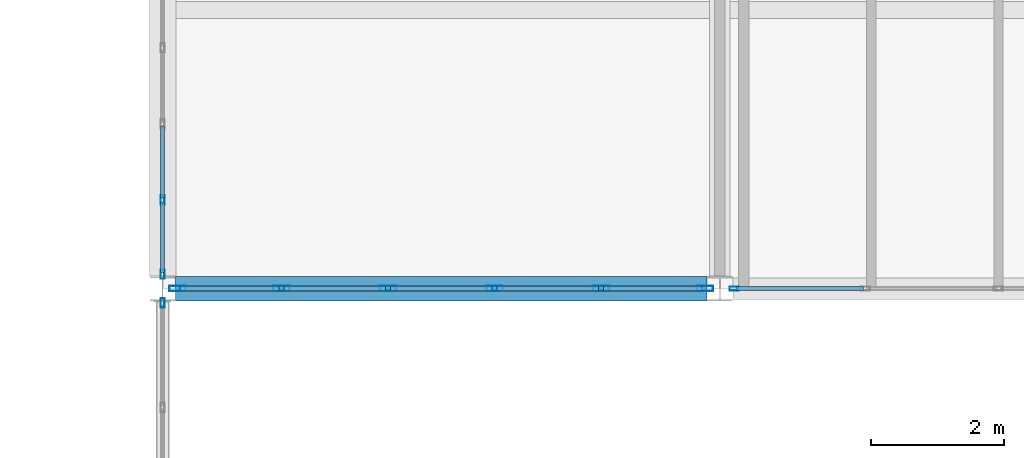
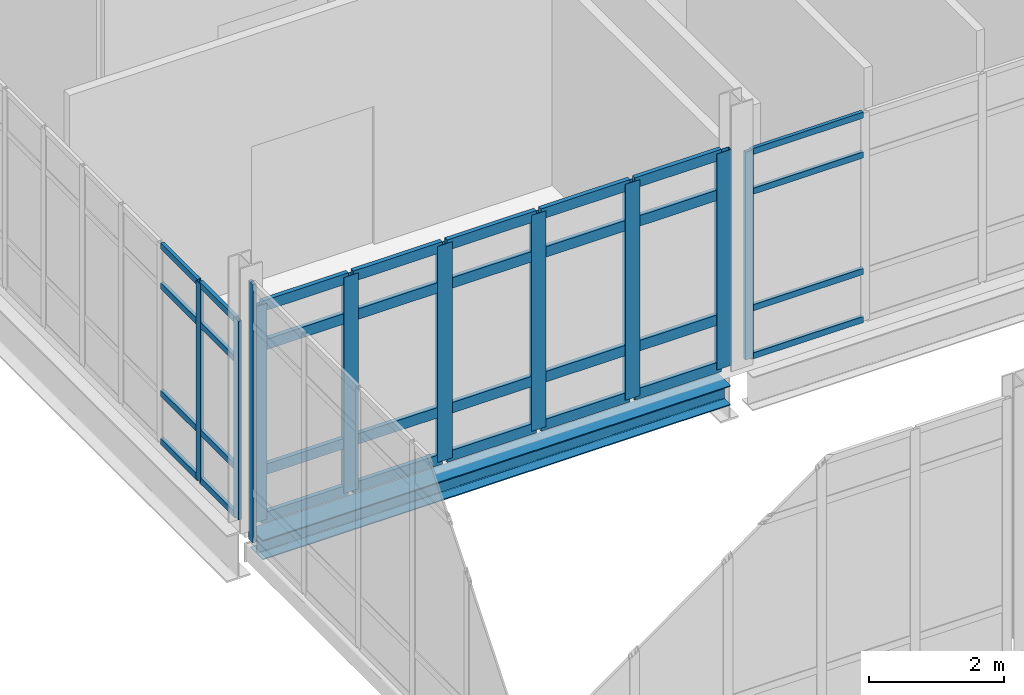
# One storey, part 19 of 186: 42 members, 1 beam, 4 elements without a shape of their own.
"""IFC4 building model written with IfcOpenShell, lengths in metres."""

from ifc_helpers import new_model, si_unit, direction, frame, origin, origin_2d, place, context, subcontext, project, spatial, hollow_rectangle, i_section, extrude, material, layer, layer_set, material_profile, profile_set, type_object, element, aggregate, save


model = new_model("IFC4")

# Units and contexts
model_context = context("Model", 3, precision=1e-05, world=origin(), true_north=direction((0.0, 1.0)))
body_context = subcontext(model_context, "Body", "Model", "MODEL_VIEW")
ifc_project = project(units=[si_unit("LENGTHUNIT", "METRE"), si_unit("AREAUNIT", "SQUARE_METRE"), si_unit("VOLUMEUNIT", "CUBIC_METRE"), si_unit("PLANEANGLEUNIT", "RADIAN"), si_unit("MASSUNIT", "GRAM", prefix="KILO")], contexts=[model_context])

# Site, building, storey
site_placement = place(None, origin())
site = spatial("IfcSite", under=ifc_project, at=site_placement, CompositionType="ELEMENT")
building_placement = place(site_placement, origin())
building = spatial("IfcBuilding", under=site, at=building_placement, Name="Calvrana Isthmian Art Gallery", CompositionType="ELEMENT")
storey_placement = place(building_placement, frame((0.0, 0.0, 5.39990234375)))
storey = spatial("IfcBuildingStorey", under=building, at=storey_placement, Name="L01", CompositionType="ELEMENT", Elevation=5.39990234375)

# Beam
ifc_material_1 = material(Name="Steel ASTM A992 Gr 50", Category="steel")
ifc_material_profile_1 = material_profile(ifc_material_1, i_section(OverallWidth=0.367919921875, OverallDepth=0.35595703125, WebThickness=0.01123046875, FlangeThickness=0.01806640625, FilletRadius=0.02490234375, at=origin_2d()), Name="W14X90")
ifc_profile_set_1 = profile_set([ifc_material_profile_1], Name="Steel ASTM A992 Gr 50")
beam_type = type_object("IfcBeamType", Name="BM-SP-W14X90", PredefinedType="SPANDREL", material=ifc_profile_set_1)
beam_placement = place(storey_placement, frame((21.798095703125, 30.0, -0.4228515625), z_axis=(1.0, 0.0, 0.0), x_axis=(0.0, 1.0, 0.0)))
element("IfcBeam", 1, at=beam_placement, inside=storey, type_object=beam_type, Name="Girder X L01 04-05/E", PredefinedType="SPANDREL", context=body_context, shape_type="SweptSolid", body=[
    extrude(i_section(OverallWidth=0.367919921875, OverallDepth=0.35595703125, WebThickness=0.01123046875, FlangeThickness=0.01806640625, FilletRadius=0.02490234375, at=origin_2d()), origin(), (0.0, 0.0, 1.0), 8.0048828125),
])

# Curtain wall, member
ifc_material_2 = material(Name="Anodized bronze aluminium 6063-T6", Category="aluminium")
ifc_layer_1 = layer(ifc_material_2, 0.179931640625, Name="Anodized bronze aluminium 6063-T6")
ifc_layer_set_1 = layer_set([ifc_layer_1], Name="Anodized bronze aluminium 6063-T6")
curtain_wall_type_1 = type_object("IfcCurtainWallType", Name="CW-STICK-080X47", PredefinedType="NOTDEFINED", material=ifc_layer_set_1)
curtain_wall_1_placement = place(storey_placement, origin())
curtain_wall_1 = element("IfcCurtainWall", 2, at=curtain_wall_1_placement, inside=storey, type_object=curtain_wall_type_1, Name="Curtain wall CW-006", PredefinedType="NOTDEFINED")
ifc_material_profile_2 = material_profile(ifc_material_2, hollow_rectangle(XDim=0.06005859375, YDim=0.139892578125, WallThickness=0.00390625, at=origin_2d()), Name="CWM60X140")
ifc_profile_set_2 = profile_set([ifc_material_profile_2], Name="Anodized bronze aluminium 6063-T6")
member_type_1 = type_object("IfcMemberType", Name="CWM-CWM60X140", PredefinedType="MULLION", material=ifc_profile_set_2)
member_1_placement = place(storey_placement, frame((21.60009765625, 29.783447265625, -0.14990234375), z_axis=(0.0, 0.0, 1.0), x_axis=(-1.0, 0.0, 0.0)))
member_1 = element("IfcMember", 3, at=member_1_placement, type_object=member_type_1, Name="CW-006 mullion 6", PredefinedType="MULLION", context=body_context, shape_type="SweptSolid", body=[
    extrude(hollow_rectangle(XDim=0.06005859375, YDim=0.139892578125, WallThickness=0.00390625, at=origin_2d()), origin(), (0.0, 0.0, 1.0), 4.669921875),
])
aggregate(curtain_wall_1, [member_1])

ifc_layer_2 = layer(ifc_material_2, 0.179931640625, Name="Anodized bronze aluminium 6063-T6")
ifc_layer_set_2 = layer_set([ifc_layer_2], Name="Anodized bronze aluminium 6063-T6")
curtain_wall_type_2 = type_object("IfcCurtainWallType", Name="CW-UNIT-080X38", PredefinedType="USERDEFINED", material=ifc_layer_set_2)
curtain_wall_2_placement = place(storey_placement, origin())
curtain_wall_2 = element("IfcCurtainWall", 4, at=curtain_wall_2_placement, inside=storey, type_object=curtain_wall_type_2, Name="Curtain wall CW-090", ObjectType="UNITISED CURTAIN WALL", PredefinedType="USERDEFINED")
member_2_placement = place(storey_placement, frame((30.216552734375, 30.0, 0.0), z_axis=(0.0, 0.0, 1.0), x_axis=(0.0, -1.0, 0.0)))
member_2 = element("IfcMember", 5, at=member_2_placement, type_object=member_type_1, Name="CW-090 mullion 5", PredefinedType="MULLION", context=body_context, shape_type="SweptSolid", body=[
    extrude(hollow_rectangle(XDim=0.06005859375, YDim=0.139892578125, WallThickness=0.00390625, at=origin_2d()), origin(), (0.0, 0.0, 1.0), 3.758056640625),
])

# Curtain wall, members
ifc_layer_3 = layer(ifc_material_2, 0.179931640625, Name="Anodized bronze aluminium 6063-T6")
ifc_layer_set_3 = layer_set([ifc_layer_3], Name="Anodized bronze aluminium 6063-T6")
curtain_wall_type_3 = type_object("IfcCurtainWallType", Name="CW-UNIT-080X36", PredefinedType="USERDEFINED", material=ifc_layer_set_3)
curtain_wall_3_placement = place(storey_placement, origin())
curtain_wall_3 = element("IfcCurtainWall", 6, at=curtain_wall_3_placement, inside=storey, type_object=curtain_wall_type_3, Name="Curtain wall CW-120", ObjectType="UNITISED CURTAIN WALL", PredefinedType="USERDEFINED")
member_3_placement = place(storey_placement, frame((21.60009765625, 30.216552734375, 0.0), z_axis=(0.0, 0.0, 1.0), x_axis=(-1.0, 0.0, 0.0)))
member_3 = element("IfcMember", 7, at=member_3_placement, type_object=member_type_1, Name="CW-120 mullion 1", PredefinedType="MULLION", context=body_context, shape_type="SweptSolid", body=[
    extrude(hollow_rectangle(XDim=0.06005859375, YDim=0.139892578125, WallThickness=0.00390625, at=origin_2d()), origin(), (0.0, 0.0, 1.0), 3.593017578125),
])
member_4_placement = place(storey_placement, frame((21.60009765625, 31.33447265625, 0.0), z_axis=(0.0, 0.0, 1.0), x_axis=(-1.0, 0.0, 0.0)))
member_4 = element("IfcMember", 8, at=member_4_placement, type_object=member_type_1, Name="CW-120 mullion 2", PredefinedType="MULLION", context=body_context, shape_type="SweptSolid", body=[
    extrude(hollow_rectangle(XDim=0.06005859375, YDim=0.139892578125, WallThickness=0.00390625, at=origin_2d()), origin(), (0.0, 0.0, 1.0), 3.593017578125),
])

ifc_layer_4 = layer(ifc_material_2, 0.179931640625, Name="Anodized bronze aluminium 6063-T6")
ifc_layer_set_4 = layer_set([ifc_layer_4], Name="Anodized bronze aluminium 6063-T6")
curtain_wall_type_4 = type_object("IfcCurtainWallType", Name="CW-STICK-080X39", PredefinedType="NOTDEFINED", material=ifc_layer_set_4)
curtain_wall_4_placement = place(storey_placement, origin())
curtain_wall_4 = element("IfcCurtainWall", 9, at=curtain_wall_4_placement, inside=storey, type_object=curtain_wall_type_4, Name="Curtain wall CW-089", PredefinedType="NOTDEFINED")
ifc_material_profile_3 = material_profile(ifc_material_2, hollow_rectangle(XDim=0.080078125, YDim=0.25, WallThickness=0.005615234375, at=origin_2d()), Name="CWM80X250")
ifc_profile_set_3 = profile_set([ifc_material_profile_3], Name="Anodized bronze aluminium 6063-T6")
member_type_2 = type_object("IfcMemberType", Name="CWM-CWM80X250", PredefinedType="MULLION", material=ifc_profile_set_3)
member_5_placement = place(storey_placement, frame((29.7734375, 30.0, 0.0), z_axis=(0.0, 0.0, 1.0), x_axis=(0.0, -1.0, 0.0)))
member_5 = element("IfcMember", 10, at=member_5_placement, type_object=member_type_2, Name="CW-089 mullion 1", PredefinedType="MULLION", context=body_context, shape_type="SweptSolid", body=[
    extrude(hollow_rectangle(XDim=0.080078125, YDim=0.25, WallThickness=0.005615234375, at=origin_2d()), origin(), (0.0, 0.0, 1.0), 3.908203125),
])
member_6_placement = place(storey_placement, frame((28.2080078125, 30.0, 0.0), z_axis=(0.0, 0.0, 1.0), x_axis=(0.0, -1.0, 0.0)))
member_6 = element("IfcMember", 11, at=member_6_placement, type_object=member_type_2, Name="CW-089 mullion 2", PredefinedType="MULLION", context=body_context, shape_type="SweptSolid", body=[
    extrude(hollow_rectangle(XDim=0.080078125, YDim=0.25, WallThickness=0.005615234375, at=origin_2d()), origin(), (0.0, 0.0, 1.0), 3.908203125),
])
member_7_placement = place(storey_placement, frame((26.602783203125, 30.0, 0.0), z_axis=(0.0, 0.0, 1.0), x_axis=(0.0, -1.0, 0.0)))
member_7 = element("IfcMember", 12, at=member_7_placement, type_object=member_type_2, Name="CW-089 mullion 3", PredefinedType="MULLION", context=body_context, shape_type="SweptSolid", body=[
    extrude(hollow_rectangle(XDim=0.080078125, YDim=0.25, WallThickness=0.005615234375, at=origin_2d()), origin(), (0.0, 0.0, 1.0), 3.908203125),
])
member_8_placement = place(storey_placement, frame((24.997314453125, 30.0, 0.0), z_axis=(0.0, 0.0, 1.0), x_axis=(0.0, -1.0, 0.0)))
member_8 = element("IfcMember", 13, at=member_8_placement, type_object=member_type_2, Name="CW-089 mullion 4", PredefinedType="MULLION", context=body_context, shape_type="SweptSolid", body=[
    extrude(hollow_rectangle(XDim=0.080078125, YDim=0.25, WallThickness=0.005615234375, at=origin_2d()), origin(), (0.0, 0.0, 1.0), 3.908203125),
])
member_9_placement = place(storey_placement, frame((23.391845703125, 30.0, 0.0), z_axis=(0.0, 0.0, 1.0), x_axis=(0.0, -1.0, 0.0)))
member_9 = element("IfcMember", 14, at=member_9_placement, type_object=member_type_2, Name="CW-089 mullion 5", PredefinedType="MULLION", context=body_context, shape_type="SweptSolid", body=[
    extrude(hollow_rectangle(XDim=0.080078125, YDim=0.25, WallThickness=0.005615234375, at=origin_2d()), origin(), (0.0, 0.0, 1.0), 3.908203125),
])
member_10_placement = place(storey_placement, frame((21.826416015625, 30.0, 0.0), z_axis=(0.0, 0.0, 1.0), x_axis=(0.0, -1.0, 0.0)))
member_10 = element("IfcMember", 15, at=member_10_placement, type_object=member_type_2, Name="CW-089 mullion 6", PredefinedType="MULLION", context=body_context, shape_type="SweptSolid", body=[
    extrude(hollow_rectangle(XDim=0.080078125, YDim=0.25, WallThickness=0.005615234375, at=origin_2d()), origin(), (0.0, 0.0, 1.0), 3.908203125),
])

# Member
ifc_material_profile_4 = material_profile(ifc_material_2, hollow_rectangle(XDim=0.06005859375, YDim=0.110107421875, WallThickness=0.00341796875, at=origin_2d()), Name="CWT60X110")
ifc_profile_set_4 = profile_set([ifc_material_profile_4], Name="Anodized bronze aluminium 6063-T6")
member_type_3 = type_object("IfcMemberType", Name="CWT-CWT60X110", PredefinedType="USERDEFINED", material=ifc_profile_set_4)
member_11_placement = place(storey_placement, frame((32.16357421875, 30.0, 0.030029296875), z_axis=(-1.0, 0.0, 0.0), x_axis=(0.0, -1.0, 0.0)))
member_11 = element("IfcMember", 16, at=member_11_placement, type_object=member_type_3, Name="CW-090 transom 4.1", ObjectType="TRANSOM", PredefinedType="USERDEFINED", context=body_context, shape_type="SweptSolid", body=[
    extrude(hollow_rectangle(XDim=0.06005859375, YDim=0.110107421875, WallThickness=0.00341796875, at=origin_2d()), origin(), (0.0, 0.0, 1.0), 1.9169921875),
])

member_12_placement = place(storey_placement, frame((32.16357421875, 30.0, 0.900146484375), z_axis=(-1.0, 0.0, 0.0), x_axis=(0.0, -1.0, 0.0)))
member_12 = element("IfcMember", 17, at=member_12_placement, type_object=member_type_3, Name="CW-090 transom 4.2", ObjectType="TRANSOM", PredefinedType="USERDEFINED", context=body_context, shape_type="SweptSolid", body=[
    extrude(hollow_rectangle(XDim=0.06005859375, YDim=0.110107421875, WallThickness=0.00341796875, at=origin_2d()), origin(), (0.0, 0.0, 1.0), 1.9169921875),
])

member_13_placement = place(storey_placement, frame((32.16357421875, 30.0, 3.008056640625), z_axis=(-1.0, 0.0, 0.0), x_axis=(0.0, -1.0, 0.0)))
member_13 = element("IfcMember", 18, at=member_13_placement, type_object=member_type_3, Name="CW-090 transom 4.3", ObjectType="TRANSOM", PredefinedType="USERDEFINED", context=body_context, shape_type="SweptSolid", body=[
    extrude(hollow_rectangle(XDim=0.06005859375, YDim=0.110107421875, WallThickness=0.00341796875, at=origin_2d()), origin(), (0.0, 0.0, 1.0), 1.9169921875),
])

member_14_placement = place(storey_placement, frame((32.16357421875, 30.0, 3.72802734375), z_axis=(-1.0, 0.0, 0.0), x_axis=(0.0, -1.0, 0.0)))
member_14 = element("IfcMember", 19, at=member_14_placement, type_object=member_type_3, Name="CW-090 transom 4.4", ObjectType="TRANSOM", PredefinedType="USERDEFINED", context=body_context, shape_type="SweptSolid", body=[
    extrude(hollow_rectangle(XDim=0.06005859375, YDim=0.110107421875, WallThickness=0.00341796875, at=origin_2d()), origin(), (0.0, 0.0, 1.0), 1.9169921875),
])

aggregate(curtain_wall_2, [member_2, member_11, member_12, member_13, member_14])

member_15_placement = place(storey_placement, frame((21.60009765625, 30.24658203125, 0.030029296875), z_axis=(0.0, 1.0, 0.0), x_axis=(-1.0, 0.0, 0.0)))
member_15 = element("IfcMember", 20, at=member_15_placement, type_object=member_type_3, Name="CW-120 transom 1.1", ObjectType="TRANSOM", PredefinedType="USERDEFINED", context=body_context, shape_type="SweptSolid", body=[
    extrude(hollow_rectangle(XDim=0.06005859375, YDim=0.110107421875, WallThickness=0.00341796875, at=origin_2d()), origin(), (0.0, 0.0, 1.0), 1.057861328125),
])

member_16_placement = place(storey_placement, frame((21.60009765625, 30.24658203125, 0.900146484375), z_axis=(0.0, 1.0, 0.0), x_axis=(-1.0, 0.0, 0.0)))
member_16 = element("IfcMember", 21, at=member_16_placement, type_object=member_type_3, Name="CW-120 transom 1.2", ObjectType="TRANSOM", PredefinedType="USERDEFINED", context=body_context, shape_type="SweptSolid", body=[
    extrude(hollow_rectangle(XDim=0.06005859375, YDim=0.110107421875, WallThickness=0.00341796875, at=origin_2d()), origin(), (0.0, 0.0, 1.0), 1.057861328125),
])

member_17_placement = place(storey_placement, frame((21.60009765625, 30.24658203125, 2.843017578125), z_axis=(0.0, 1.0, 0.0), x_axis=(-1.0, 0.0, 0.0)))
member_17 = element("IfcMember", 22, at=member_17_placement, type_object=member_type_3, Name="CW-120 transom 1.3", ObjectType="TRANSOM", PredefinedType="USERDEFINED", context=body_context, shape_type="SweptSolid", body=[
    extrude(hollow_rectangle(XDim=0.06005859375, YDim=0.110107421875, WallThickness=0.00341796875, at=origin_2d()), origin(), (0.0, 0.0, 1.0), 1.057861328125),
])

member_18_placement = place(storey_placement, frame((21.60009765625, 30.24658203125, 3.56298828125), z_axis=(0.0, 1.0, 0.0), x_axis=(-1.0, 0.0, 0.0)))
member_18 = element("IfcMember", 23, at=member_18_placement, type_object=member_type_3, Name="CW-120 transom 1.4", ObjectType="TRANSOM", PredefinedType="USERDEFINED", context=body_context, shape_type="SweptSolid", body=[
    extrude(hollow_rectangle(XDim=0.06005859375, YDim=0.110107421875, WallThickness=0.00341796875, at=origin_2d()), origin(), (0.0, 0.0, 1.0), 1.057861328125),
])

member_19_placement = place(storey_placement, frame((21.60009765625, 31.364501953125, 0.030029296875), z_axis=(0.0, 1.0, 0.0), x_axis=(-1.0, 0.0, 0.0)))
member_19 = element("IfcMember", 24, at=member_19_placement, type_object=member_type_3, Name="CW-120 transom 2.1", ObjectType="TRANSOM", PredefinedType="USERDEFINED", context=body_context, shape_type="SweptSolid", body=[
    extrude(hollow_rectangle(XDim=0.06005859375, YDim=0.110107421875, WallThickness=0.00341796875, at=origin_2d()), origin(), (0.0, 0.0, 1.0), 1.087890625),
])

member_20_placement = place(storey_placement, frame((21.60009765625, 31.364501953125, 0.900146484375), z_axis=(0.0, 1.0, 0.0), x_axis=(-1.0, 0.0, 0.0)))
member_20 = element("IfcMember", 25, at=member_20_placement, type_object=member_type_3, Name="CW-120 transom 2.2", ObjectType="TRANSOM", PredefinedType="USERDEFINED", context=body_context, shape_type="SweptSolid", body=[
    extrude(hollow_rectangle(XDim=0.06005859375, YDim=0.110107421875, WallThickness=0.00341796875, at=origin_2d()), origin(), (0.0, 0.0, 1.0), 1.087890625),
])

member_21_placement = place(storey_placement, frame((21.60009765625, 31.364501953125, 2.843017578125), z_axis=(0.0, 1.0, 0.0), x_axis=(-1.0, 0.0, 0.0)))
member_21 = element("IfcMember", 26, at=member_21_placement, type_object=member_type_3, Name="CW-120 transom 2.3", ObjectType="TRANSOM", PredefinedType="USERDEFINED", context=body_context, shape_type="SweptSolid", body=[
    extrude(hollow_rectangle(XDim=0.06005859375, YDim=0.110107421875, WallThickness=0.00341796875, at=origin_2d()), origin(), (0.0, 0.0, 1.0), 1.087890625),
])

member_22_placement = place(storey_placement, frame((21.60009765625, 31.364501953125, 3.56298828125), z_axis=(0.0, 1.0, 0.0), x_axis=(-1.0, 0.0, 0.0)))
member_22 = element("IfcMember", 27, at=member_22_placement, type_object=member_type_3, Name="CW-120 transom 2.4", ObjectType="TRANSOM", PredefinedType="USERDEFINED", context=body_context, shape_type="SweptSolid", body=[
    extrude(hollow_rectangle(XDim=0.06005859375, YDim=0.110107421875, WallThickness=0.00341796875, at=origin_2d()), origin(), (0.0, 0.0, 1.0), 1.087890625),
])

aggregate(curtain_wall_3, [member_3, member_4, member_15, member_16, member_17, member_18, member_19, member_20, member_21, member_22])

ifc_material_profile_5 = material_profile(ifc_material_2, hollow_rectangle(XDim=0.074951171875, YDim=0.18994140625, WallThickness=0.00439453125, at=origin_2d()), Name="CWT75X190")
ifc_profile_set_5 = profile_set([ifc_material_profile_5], Name="Anodized bronze aluminium 6063-T6")
member_type_4 = type_object("IfcMemberType", Name="CWT-CWT75X190", PredefinedType="USERDEFINED", material=ifc_profile_set_5)
member_23_placement = place(storey_placement, frame((29.7333984375, 30.0, 0.03759765625), z_axis=(-1.0, 0.0, 0.0), x_axis=(0.0, -1.0, 0.0)))
member_23 = element("IfcMember", 28, at=member_23_placement, type_object=member_type_4, Name="CW-089 transom 1.1", ObjectType="TRANSOM", PredefinedType="USERDEFINED", context=body_context, shape_type="SweptSolid", body=[
    extrude(hollow_rectangle(XDim=0.074951171875, YDim=0.18994140625, WallThickness=0.00439453125, at=origin_2d()), origin(), (0.0, 0.0, 1.0), 1.4853515625),
])

member_24_placement = place(storey_placement, frame((29.7333984375, 30.0, 0.900146484375), z_axis=(-1.0, 0.0, 0.0), x_axis=(0.0, -1.0, 0.0)))
member_24 = element("IfcMember", 29, at=member_24_placement, type_object=member_type_4, Name="CW-089 transom 1.2", ObjectType="TRANSOM", PredefinedType="USERDEFINED", context=body_context, shape_type="SweptSolid", body=[
    extrude(hollow_rectangle(XDim=0.074951171875, YDim=0.18994140625, WallThickness=0.00439453125, at=origin_2d()), origin(), (0.0, 0.0, 1.0), 1.4853515625),
])

member_25_placement = place(storey_placement, frame((29.7333984375, 30.0, 3.158203125), z_axis=(-1.0, 0.0, 0.0), x_axis=(0.0, -1.0, 0.0)))
member_25 = element("IfcMember", 30, at=member_25_placement, type_object=member_type_4, Name="CW-089 transom 1.3", ObjectType="TRANSOM", PredefinedType="USERDEFINED", context=body_context, shape_type="SweptSolid", body=[
    extrude(hollow_rectangle(XDim=0.074951171875, YDim=0.18994140625, WallThickness=0.00439453125, at=origin_2d()), origin(), (0.0, 0.0, 1.0), 1.4853515625),
])

member_26_placement = place(storey_placement, frame((29.7333984375, 30.0, 3.87060546875), z_axis=(-1.0, 0.0, 0.0), x_axis=(0.0, -1.0, 0.0)))
member_26 = element("IfcMember", 31, at=member_26_placement, type_object=member_type_4, Name="CW-089 transom 1.4", ObjectType="TRANSOM", PredefinedType="USERDEFINED", context=body_context, shape_type="SweptSolid", body=[
    extrude(hollow_rectangle(XDim=0.074951171875, YDim=0.18994140625, WallThickness=0.00439453125, at=origin_2d()), origin(), (0.0, 0.0, 1.0), 1.4853515625),
])

member_27_placement = place(storey_placement, frame((28.168212890625, 30.0, 0.03759765625), z_axis=(-1.0, 0.0, 0.0), x_axis=(0.0, -1.0, 0.0)))
member_27 = element("IfcMember", 32, at=member_27_placement, type_object=member_type_4, Name="CW-089 transom 2.1", ObjectType="TRANSOM", PredefinedType="USERDEFINED", context=body_context, shape_type="SweptSolid", body=[
    extrude(hollow_rectangle(XDim=0.074951171875, YDim=0.18994140625, WallThickness=0.00439453125, at=origin_2d()), origin(), (0.0, 0.0, 1.0), 1.525634765625),
])

member_28_placement = place(storey_placement, frame((28.168212890625, 30.0, 0.900146484375), z_axis=(-1.0, 0.0, 0.0), x_axis=(0.0, -1.0, 0.0)))
member_28 = element("IfcMember", 33, at=member_28_placement, type_object=member_type_4, Name="CW-089 transom 2.2", ObjectType="TRANSOM", PredefinedType="USERDEFINED", context=body_context, shape_type="SweptSolid", body=[
    extrude(hollow_rectangle(XDim=0.074951171875, YDim=0.18994140625, WallThickness=0.00439453125, at=origin_2d()), origin(), (0.0, 0.0, 1.0), 1.525634765625),
])

member_29_placement = place(storey_placement, frame((28.168212890625, 30.0, 3.158203125), z_axis=(-1.0, 0.0, 0.0), x_axis=(0.0, -1.0, 0.0)))
member_29 = element("IfcMember", 34, at=member_29_placement, type_object=member_type_4, Name="CW-089 transom 2.3", ObjectType="TRANSOM", PredefinedType="USERDEFINED", context=body_context, shape_type="SweptSolid", body=[
    extrude(hollow_rectangle(XDim=0.074951171875, YDim=0.18994140625, WallThickness=0.00439453125, at=origin_2d()), origin(), (0.0, 0.0, 1.0), 1.525634765625),
])

member_30_placement = place(storey_placement, frame((28.168212890625, 30.0, 3.87060546875), z_axis=(-1.0, 0.0, 0.0), x_axis=(0.0, -1.0, 0.0)))
member_30 = element("IfcMember", 35, at=member_30_placement, type_object=member_type_4, Name="CW-089 transom 2.4", ObjectType="TRANSOM", PredefinedType="USERDEFINED", context=body_context, shape_type="SweptSolid", body=[
    extrude(hollow_rectangle(XDim=0.074951171875, YDim=0.18994140625, WallThickness=0.00439453125, at=origin_2d()), origin(), (0.0, 0.0, 1.0), 1.525634765625),
])

member_31_placement = place(storey_placement, frame((26.562744140625, 30.0, 0.03759765625), z_axis=(-1.0, 0.0, 0.0), x_axis=(0.0, -1.0, 0.0)))
member_31 = element("IfcMember", 36, at=member_31_placement, type_object=member_type_4, Name="CW-089 transom 3.1", ObjectType="TRANSOM", PredefinedType="USERDEFINED", context=body_context, shape_type="SweptSolid", body=[
    extrude(hollow_rectangle(XDim=0.074951171875, YDim=0.18994140625, WallThickness=0.00439453125, at=origin_2d()), origin(), (0.0, 0.0, 1.0), 1.525390625),
])

member_32_placement = place(storey_placement, frame((26.562744140625, 30.0, 0.900146484375), z_axis=(-1.0, 0.0, 0.0), x_axis=(0.0, -1.0, 0.0)))
member_32 = element("IfcMember", 37, at=member_32_placement, type_object=member_type_4, Name="CW-089 transom 3.2", ObjectType="TRANSOM", PredefinedType="USERDEFINED", context=body_context, shape_type="SweptSolid", body=[
    extrude(hollow_rectangle(XDim=0.074951171875, YDim=0.18994140625, WallThickness=0.00439453125, at=origin_2d()), origin(), (0.0, 0.0, 1.0), 1.525390625),
])

member_33_placement = place(storey_placement, frame((26.562744140625, 30.0, 3.158203125), z_axis=(-1.0, 0.0, 0.0), x_axis=(0.0, -1.0, 0.0)))
member_33 = element("IfcMember", 38, at=member_33_placement, type_object=member_type_4, Name="CW-089 transom 3.3", ObjectType="TRANSOM", PredefinedType="USERDEFINED", context=body_context, shape_type="SweptSolid", body=[
    extrude(hollow_rectangle(XDim=0.074951171875, YDim=0.18994140625, WallThickness=0.00439453125, at=origin_2d()), origin(), (0.0, 0.0, 1.0), 1.525390625),
])

member_34_placement = place(storey_placement, frame((26.562744140625, 30.0, 3.87060546875), z_axis=(-1.0, 0.0, 0.0), x_axis=(0.0, -1.0, 0.0)))
member_34 = element("IfcMember", 39, at=member_34_placement, type_object=member_type_4, Name="CW-089 transom 3.4", ObjectType="TRANSOM", PredefinedType="USERDEFINED", context=body_context, shape_type="SweptSolid", body=[
    extrude(hollow_rectangle(XDim=0.074951171875, YDim=0.18994140625, WallThickness=0.00439453125, at=origin_2d()), origin(), (0.0, 0.0, 1.0), 1.525390625),
])

member_35_placement = place(storey_placement, frame((24.957275390625, 30.0, 0.03759765625), z_axis=(-1.0, 0.0, 0.0), x_axis=(0.0, -1.0, 0.0)))
member_35 = element("IfcMember", 40, at=member_35_placement, type_object=member_type_4, Name="CW-089 transom 4.1", ObjectType="TRANSOM", PredefinedType="USERDEFINED", context=body_context, shape_type="SweptSolid", body=[
    extrude(hollow_rectangle(XDim=0.074951171875, YDim=0.18994140625, WallThickness=0.00439453125, at=origin_2d()), origin(), (0.0, 0.0, 1.0), 1.525390625),
])

member_36_placement = place(storey_placement, frame((24.957275390625, 30.0, 0.900146484375), z_axis=(-1.0, 0.0, 0.0), x_axis=(0.0, -1.0, 0.0)))
member_36 = element("IfcMember", 41, at=member_36_placement, type_object=member_type_4, Name="CW-089 transom 4.2", ObjectType="TRANSOM", PredefinedType="USERDEFINED", context=body_context, shape_type="SweptSolid", body=[
    extrude(hollow_rectangle(XDim=0.074951171875, YDim=0.18994140625, WallThickness=0.00439453125, at=origin_2d()), origin(), (0.0, 0.0, 1.0), 1.525390625),
])

member_37_placement = place(storey_placement, frame((24.957275390625, 30.0, 3.158203125), z_axis=(-1.0, 0.0, 0.0), x_axis=(0.0, -1.0, 0.0)))
member_37 = element("IfcMember", 42, at=member_37_placement, type_object=member_type_4, Name="CW-089 transom 4.3", ObjectType="TRANSOM", PredefinedType="USERDEFINED", context=body_context, shape_type="SweptSolid", body=[
    extrude(hollow_rectangle(XDim=0.074951171875, YDim=0.18994140625, WallThickness=0.00439453125, at=origin_2d()), origin(), (0.0, 0.0, 1.0), 1.525390625),
])

member_38_placement = place(storey_placement, frame((24.957275390625, 30.0, 3.87060546875), z_axis=(-1.0, 0.0, 0.0), x_axis=(0.0, -1.0, 0.0)))
member_38 = element("IfcMember", 43, at=member_38_placement, type_object=member_type_4, Name="CW-089 transom 4.4", ObjectType="TRANSOM", PredefinedType="USERDEFINED", context=body_context, shape_type="SweptSolid", body=[
    extrude(hollow_rectangle(XDim=0.074951171875, YDim=0.18994140625, WallThickness=0.00439453125, at=origin_2d()), origin(), (0.0, 0.0, 1.0), 1.525390625),
])

member_39_placement = place(storey_placement, frame((23.351806640625, 30.0, 0.03759765625), z_axis=(-1.0, 0.0, 0.0), x_axis=(0.0, -1.0, 0.0)))
member_39 = element("IfcMember", 44, at=member_39_placement, type_object=member_type_4, Name="CW-089 transom 5.1", ObjectType="TRANSOM", PredefinedType="USERDEFINED", context=body_context, shape_type="SweptSolid", body=[
    extrude(hollow_rectangle(XDim=0.074951171875, YDim=0.18994140625, WallThickness=0.00439453125, at=origin_2d()), origin(), (0.0, 0.0, 1.0), 1.4853515625),
])

member_40_placement = place(storey_placement, frame((23.351806640625, 30.0, 0.900146484375), z_axis=(-1.0, 0.0, 0.0), x_axis=(0.0, -1.0, 0.0)))
member_40 = element("IfcMember", 45, at=member_40_placement, type_object=member_type_4, Name="CW-089 transom 5.2", ObjectType="TRANSOM", PredefinedType="USERDEFINED", context=body_context, shape_type="SweptSolid", body=[
    extrude(hollow_rectangle(XDim=0.074951171875, YDim=0.18994140625, WallThickness=0.00439453125, at=origin_2d()), origin(), (0.0, 0.0, 1.0), 1.4853515625),
])

member_41_placement = place(storey_placement, frame((23.351806640625, 30.0, 3.158203125), z_axis=(-1.0, 0.0, 0.0), x_axis=(0.0, -1.0, 0.0)))
member_41 = element("IfcMember", 46, at=member_41_placement, type_object=member_type_4, Name="CW-089 transom 5.3", ObjectType="TRANSOM", PredefinedType="USERDEFINED", context=body_context, shape_type="SweptSolid", body=[
    extrude(hollow_rectangle(XDim=0.074951171875, YDim=0.18994140625, WallThickness=0.00439453125, at=origin_2d()), origin(), (0.0, 0.0, 1.0), 1.4853515625),
])

member_42_placement = place(storey_placement, frame((23.351806640625, 30.0, 3.87060546875), z_axis=(-1.0, 0.0, 0.0), x_axis=(0.0, -1.0, 0.0)))
member_42 = element("IfcMember", 47, at=member_42_placement, type_object=member_type_4, Name="CW-089 transom 5.4", ObjectType="TRANSOM", PredefinedType="USERDEFINED", context=body_context, shape_type="SweptSolid", body=[
    extrude(hollow_rectangle(XDim=0.074951171875, YDim=0.18994140625, WallThickness=0.00439453125, at=origin_2d()), origin(), (0.0, 0.0, 1.0), 1.4853515625),
])

aggregate(curtain_wall_4, [member_5, member_6, member_7, member_8, member_9, member_10, member_23, member_24, member_25, member_26, member_27, member_28, member_29, member_30, member_31, member_32, member_33, member_34, member_35, member_36, member_37, member_38, member_39, member_40, member_41, member_42])

save(model, "model.ifc")
